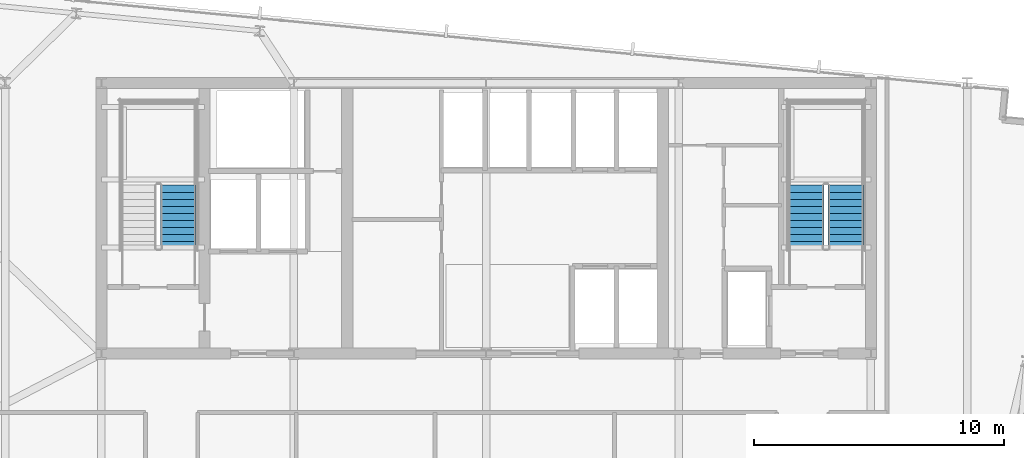
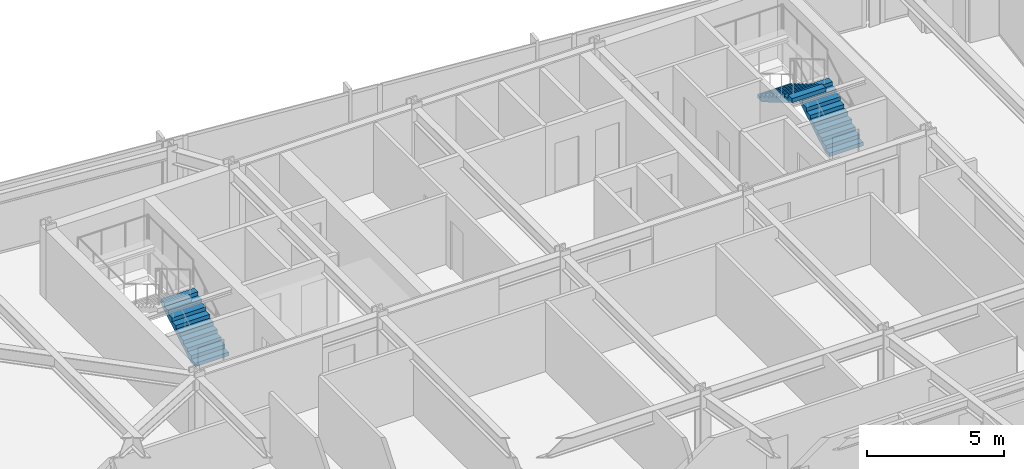
# One storey, part 32 of 38: 3 stair flights, 2 elements without a shape of their own.
"""IFC4 building model written with IfcOpenShell, lengths in metres."""

import ifcopenshell
import ifcopenshell.guid

model = None  # the IFC model being written
_history = None  # IfcOwnerHistory: only IFC2X3 demands one
_inside = {}  # id of a spatial element -> (the spatial element, [elements in it])
_under = {}  # id of a project, library or spatial element -> (it, [spatial elements below it])
_declared = {}  # id of a project -> (the project, [libraries it declares])
_typed = {}  # id of a type object -> (the type object, [elements of that type])
_made_of = {}  # id of a material, layer set ... -> (it, [elements and type objects made of it])


def new_model(schema):
    """Start an empty IFC model of exactly this schema.

    Asked for "IFC4X3", IfcOpenShell would pick the latest addendum, in which some entities
    have other attributes; the version numbers below select the first issue.
    IFC2X3 requires an IfcOwnerHistory on every rooted entity: one is made here for all.
    """
    global model, _history
    if schema == "IFC4X3":
        model = ifcopenshell.file(schema_version=(4, 3, 0, 0))
    else:
        model = ifcopenshell.file(schema=schema)
    _inside.clear()
    _under.clear()
    _declared.clear()
    _typed.clear()
    _made_of.clear()
    _history = None
    if model.schema == "IFC2X3":
        org = make("IfcOrganization", Name="unknown")
        user = make(
            "IfcPersonAndOrganization",
            ThePerson=make("IfcPerson", FamilyName="unknown"),
            TheOrganization=org,
        )
        app = make(
            "IfcApplication",
            ApplicationDeveloper=org,
            Version="unknown",
            ApplicationFullName="unknown",
            ApplicationIdentifier="unknown",
        )
        _history = make(
            "IfcOwnerHistory",
            OwningUser=user,
            OwningApplication=app,
            ChangeAction="ADDED",
            CreationDate=0,
        )
    return model


def make(cls, **values):
    """One entity of the class cls with the attributes given. An attribute that is None is left unset."""
    return model.create_entity(
        cls, **{name: value for name, value in values.items() if value is not None}
    )


def rooted(cls, **values):
    """An entity with a GlobalId (a new one), such as an element, a storey or a relation."""
    return make(cls, GlobalId=ifcopenshell.guid.new(), OwnerHistory=_history, **values)


def si_unit(unit_type, name, prefix=None):
    """IfcSIUnit, for example si_unit("LENGTHUNIT", "METRE", prefix="MILLI")."""
    return make("IfcSIUnit", UnitType=unit_type, Prefix=prefix, Name=name)


def assignment(units):
    """IfcUnitAssignment: the units of a project."""
    return None if units is None else make("IfcUnitAssignment", Units=units)


def point(xyz):
    """IfcCartesianPoint."""
    return None if xyz is None else make("IfcCartesianPoint", Coordinates=xyz)


def direction(xyz):
    """IfcDirection."""
    return None if xyz is None else make("IfcDirection", DirectionRatios=xyz)


def frame(location, z_axis=None, x_axis=None):
    """IfcAxis2Placement3D, a coordinate frame: its origin and axes. An axis left out is left unset."""
    return make(
        "IfcAxis2Placement3D",
        Location=point(location),
        Axis=direction(z_axis),
        RefDirection=direction(x_axis),
    )


def origin():
    """The frame at (0, 0, 0) with its axes left unset."""
    return frame((0.0, 0.0, 0.0))


def place(relative_to, where):
    """IfcLocalPlacement: puts the frame where relative to a parent placement (None: the world)."""
    return make(
        "IfcLocalPlacement", PlacementRelTo=relative_to, RelativePlacement=where
    )


def context(
    kind, dimensions, precision=None, world=None, true_north=None, identifier=None
):
    """IfcGeometricRepresentationContext, for example the 3D "Model" context."""
    return make(
        "IfcGeometricRepresentationContext",
        ContextIdentifier=identifier,
        ContextType=kind,
        CoordinateSpaceDimension=dimensions,
        Precision=precision,
        WorldCoordinateSystem=world,
        TrueNorth=true_north,
    )


def subcontext(parent, identifier, kind, view, scale=None):
    """IfcGeometricRepresentationSubContext, for example "Body" below "Model"."""
    return make(
        "IfcGeometricRepresentationSubContext",
        ContextIdentifier=identifier,
        ContextType=kind,
        ParentContext=parent,
        TargetScale=scale,
        TargetView=view,
    )


def project(units=None, contexts=None):
    """IfcProject with its units and contexts."""
    return rooted(
        "IfcProject",
        Name="project",
        RepresentationContexts=contexts,
        UnitsInContext=assignment(units),
    )


def spatial(cls, under=None, at=None, **own):
    """A site, building, storey or space (cls), placed at a placement, below another one or the project."""
    s = rooted(cls, ObjectPlacement=at, **own)
    if under is not None:
        _under.setdefault(under.id(), (under, []))[1].append(s)
    return s


def polyline(points):
    """IfcPolyline through the points."""
    return make("IfcPolyline", Points=[point(p) for p in points])


def outline(outer, holes=None, kind="AREA"):
    """IfcArbitraryClosedProfileDef: a profile drawn as a closed curve; with holes, ...WithVoids."""
    if holes is None:
        return make("IfcArbitraryClosedProfileDef", ProfileType=kind, OuterCurve=outer)
    return make(
        "IfcArbitraryProfileDefWithVoids",
        ProfileType=kind,
        OuterCurve=outer,
        InnerCurves=holes,
    )


def extrude(swept, where, along, depth):
    """IfcExtrudedAreaSolid: the profile swept, set in the frame where, extruded along a direction by depth."""
    return make(
        "IfcExtrudedAreaSolid",
        SweptArea=swept,
        Position=where,
        ExtrudedDirection=direction(along),
        Depth=depth,
    )


def shape(context_of_items, identifier, shape_type, items):
    """IfcShapeRepresentation: the items that make up one representation, for example the "Body"."""
    return make(
        "IfcShapeRepresentation",
        ContextOfItems=context_of_items,
        RepresentationIdentifier=identifier,
        RepresentationType=shape_type,
        Items=items,
    )


def material(Name=None, Category=None):
    """IfcMaterial."""
    return make("IfcMaterial", Name=Name, Category=Category)


def made_of(thing, what):
    """Note that an element or type object is made of a material, layer set ...; save() writes the relation."""
    if what is not None:
        _made_of.setdefault(what.id(), (what, []))[1].append(thing)
    return thing


def type_object(cls, material=None, **own):
    """A type object (cls), such as IfcWallType, which elements share."""
    return made_of(rooted(cls, **own), material)


def element(
    cls,
    number,
    at=None,
    inside=None,
    cuts=None,
    type_object=None,
    material=None,
    context=None,
    identifier="Body",
    shape_type=None,
    held_by="IfcProductDefinitionShape",
    body=None,
    shapes=None,
    **own,
):
    """One element of the class cls, such as IfcWall. Its Tag is "e" and its number.

    at: its placement. inside: the storey or other place that contains it. cuts: it is an
    opening in that element (IfcRelVoidsElement). A single representation is given by context,
    identifier, shape_type and body (its items); several are given by shapes. held_by: the class
    of the entity that holds the representations. save() writes the other relations.
    """
    e = rooted(cls, Tag="e%d" % number, ObjectPlacement=at, **own)
    if body is not None:
        shapes = [shape(context, identifier, shape_type, body)]
    if shapes is not None:
        e.Representation = make(held_by, Representations=shapes)
    if inside is not None:
        _inside.setdefault(inside.id(), (inside, []))[1].append(e)
    if cuts is not None:
        rooted(
            "IfcRelVoidsElement", RelatingBuildingElement=cuts, RelatedOpeningElement=e
        )
    if type_object is not None:
        _typed.setdefault(type_object.id(), (type_object, []))[1].append(e)
    return made_of(e, material)


def aggregate(whole, parts):
    """IfcRelAggregates: a whole, such as a stair, and the parts it consists of."""
    return rooted("IfcRelAggregates", RelatingObject=whole, RelatedObjects=parts)


def save(model, path):
    """Write the relations noted so far, then the file.

    IfcRelAggregates (storeys below a building ...), IfcRelContainedInSpatialStructure (elements
    in a storey), IfcRelDefinesByType, IfcRelAssociatesMaterial and IfcRelDeclares: one each for
    every whole, place, type object, material and project.
    """
    for whole, parts in _under.values():
        aggregate(whole, parts)
    for where, things in _inside.values():
        rooted(
            "IfcRelContainedInSpatialStructure",
            RelatedElements=things,
            RelatingStructure=where,
        )
    for kind, things in _typed.values():
        rooted("IfcRelDefinesByType", RelatedObjects=things, RelatingType=kind)
    for what, things in _made_of.values():
        rooted("IfcRelAssociatesMaterial", RelatedObjects=things, RelatingMaterial=what)
    for by, libraries in _declared.values():
        rooted("IfcRelDeclares", RelatingContext=by, RelatedDefinitions=libraries)
    model.write(path)


model = new_model("IFC4")

# Units and contexts
model_context = context("Model", 3, precision=1e-05, world=origin(), true_north=direction((0.0, 1.0)))
body_context = subcontext(model_context, "Body", "Model", "MODEL_VIEW")
ifc_project = project(units=[si_unit("LENGTHUNIT", "METRE"), si_unit("AREAUNIT", "SQUARE_METRE"), si_unit("VOLUMEUNIT", "CUBIC_METRE"), si_unit("PLANEANGLEUNIT", "RADIAN"), si_unit("MASSUNIT", "GRAM", prefix="KILO")], contexts=[model_context])

# Site, building, storey
site_placement = place(None, origin())
site = spatial("IfcSite", under=ifc_project, at=site_placement, CompositionType="ELEMENT")
building_placement = place(site_placement, origin())
building = spatial("IfcBuilding", under=site, at=building_placement, Name="Yelkora Congress Tower", CompositionType="ELEMENT")
storey_placement = place(building_placement, frame((0.0, 0.0, 185.300048828125)))
storey = spatial("IfcBuildingStorey", under=building, at=storey_placement, Name="L51", CompositionType="ELEMENT", Elevation=185.300048828125)

# Stair, stair flight
ifc_material = material(Name="Concrete C40/50", Category="concrete")
stair_type = type_object("IfcStairType", Name="STAIR-HT-1420-R20-165", PredefinedType="HALF_TURN_STAIR", material=ifc_material)
stair_1_placement = place(storey_placement, origin())
stair_1 = element("IfcStair", 1, at=stair_1_placement, inside=storey, type_object=stair_type, Name="West Core Protected Exit Stair ST-01 (L51)", PredefinedType="HALF_TURN_STAIR")
stair_flight_type = type_object("IfcStairFlightType", Name="FLIGHT-1420-N10-R165-G280", PredefinedType="STRAIGHT", material=ifc_material)
stair_flight_1_placement = place(storey_placement, frame((26.110107421875, 39.60009765625, 0.0), z_axis=(0.0, 0.0, 1.0), x_axis=(0.0, 1.0, 0.0)))
stair_flight_1 = element("IfcStairFlight", 2, at=stair_flight_1_placement, type_object=stair_flight_type, Name="ST-01 L51 Flight 1", NumberOfRisers=10, NumberOfTreads=9, PredefinedType="STRAIGHT", RiserHeight=0.165, TreadLength=0.28, context=body_context, shape_type="SweptSolid", body=[
    extrude(outline(polyline([(0.0, 0.0), (0.0, 0.1650390625), (0.280029296875, 0.1650390625), (0.280029296875, 0.330078125), (0.56005859375, 0.330078125), (0.56005859375, 0.4951171875), (0.840087890625, 0.4951171875), (0.840087890625, 0.659912109375), (1.1201171875, 0.659912109375), (1.1201171875, 0.824951171875), (1.39990234375, 0.824951171875), (1.39990234375, 0.989990234375), (1.679931640625, 0.989990234375), (1.679931640625, 1.155029296875), (1.9599609375, 1.155029296875), (1.9599609375, 1.320068359375), (2.239990234375, 1.320068359375), (2.239990234375, 1.485107421875), (2.52001953125, 1.485107421875), (2.52001953125, 1.64990234375), (2.52001953125, 1.29931640625), (0.31494140625, 0.0), (0.0, 0.0)])), frame((0.0, 0.7099609375, 0.0), z_axis=(0.0, -1.0, 0.0), x_axis=(1.0, 0.0, 0.0)), (0.0, 0.0, 1.0), 1.419921875),
])
aggregate(stair_1, [stair_flight_1])

# Stair, stair flights
stair_2_placement = place(storey_placement, origin())
stair_2 = element("IfcStair", 3, at=stair_2_placement, inside=storey, type_object=stair_type, Name="East Core Protected Exit Stair ST-02 (L51)", PredefinedType="HALF_TURN_STAIR")
stair_flight_2_placement = place(storey_placement, frame((52.75, 39.60009765625, 0.0), z_axis=(0.0, 0.0, 1.0), x_axis=(0.0, 1.0, 0.0)))
stair_flight_2 = element("IfcStairFlight", 4, at=stair_flight_2_placement, type_object=stair_flight_type, Name="ST-02 L51 Flight 1", NumberOfRisers=10, NumberOfTreads=9, PredefinedType="STRAIGHT", RiserHeight=0.165, TreadLength=0.28, context=body_context, shape_type="SweptSolid", body=[
    extrude(outline(polyline([(0.0, 0.0), (0.0, 0.1650390625), (0.280029296875, 0.1650390625), (0.280029296875, 0.330078125), (0.56005859375, 0.330078125), (0.56005859375, 0.4951171875), (0.840087890625, 0.4951171875), (0.840087890625, 0.659912109375), (1.1201171875, 0.659912109375), (1.1201171875, 0.824951171875), (1.39990234375, 0.824951171875), (1.39990234375, 0.989990234375), (1.679931640625, 0.989990234375), (1.679931640625, 1.155029296875), (1.9599609375, 1.155029296875), (1.9599609375, 1.320068359375), (2.239990234375, 1.320068359375), (2.239990234375, 1.485107421875), (2.52001953125, 1.485107421875), (2.52001953125, 1.64990234375), (2.52001953125, 1.29931640625), (0.31494140625, 0.0), (0.0, 0.0)])), frame((0.0, 0.7099609375, 0.0), z_axis=(0.0, -1.0, 0.0), x_axis=(1.0, 0.0, 0.0)), (0.0, 0.0, 1.0), 1.419921875),
])
stair_flight_3_placement = place(storey_placement, frame((51.169921875, 42.1201171875, 1.64990234375), z_axis=(0.0, 0.0, 1.0), x_axis=(0.0, -1.0, 0.0)))
stair_flight_3 = element("IfcStairFlight", 5, at=stair_flight_3_placement, type_object=stair_flight_type, Name="ST-02 L51 Flight 2", NumberOfRisers=10, NumberOfTreads=9, PredefinedType="STRAIGHT", RiserHeight=0.165, TreadLength=0.28, context=body_context, shape_type="SweptSolid", body=[
    extrude(outline(polyline([(0.0, 0.0), (0.0, 0.1650390625), (0.280029296875, 0.1650390625), (0.280029296875, 0.330078125), (0.56005859375, 0.330078125), (0.56005859375, 0.4951171875), (0.840087890625, 0.4951171875), (0.840087890625, 0.659912109375), (1.1201171875, 0.659912109375), (1.1201171875, 0.824951171875), (1.39990234375, 0.824951171875), (1.39990234375, 0.989990234375), (1.679931640625, 0.989990234375), (1.679931640625, 1.155029296875), (1.9599609375, 1.155029296875), (1.9599609375, 1.320068359375), (2.239990234375, 1.320068359375), (2.239990234375, 1.485107421875), (2.52001953125, 1.485107421875), (2.52001953125, 1.64990234375), (2.52001953125, 1.29931640625), (0.31494140625, 0.0), (0.0, 0.0)])), frame((0.0, 0.7099609375, 0.0), z_axis=(0.0, -1.0, 0.0), x_axis=(1.0, 0.0, 0.0)), (0.0, 0.0, 1.0), 1.419921875),
])
aggregate(stair_2, [stair_flight_2, stair_flight_3])

save(model, "model.ifc")
